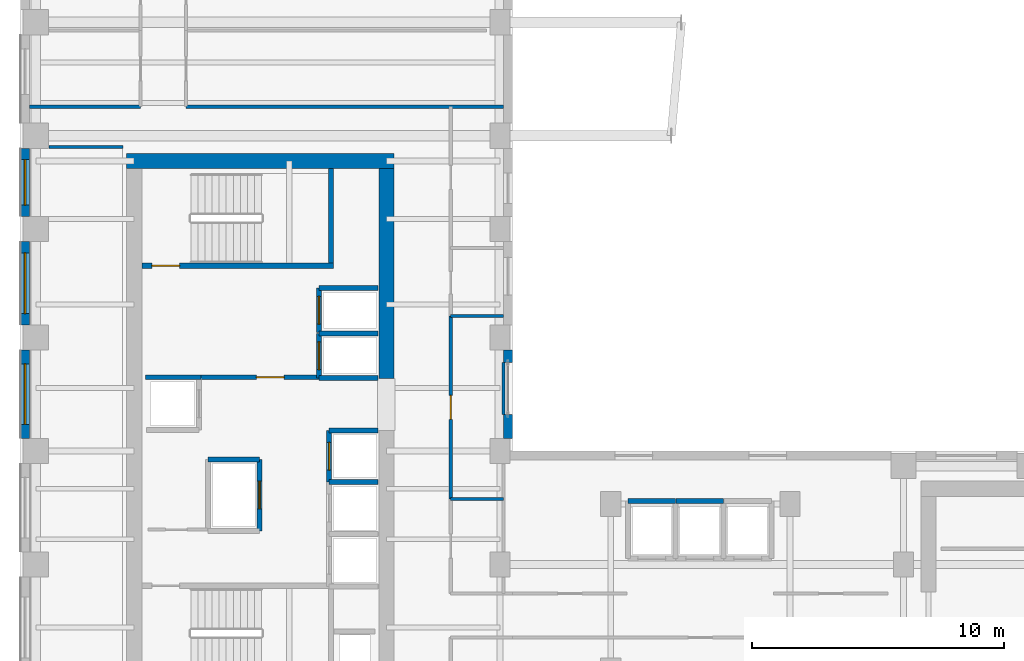
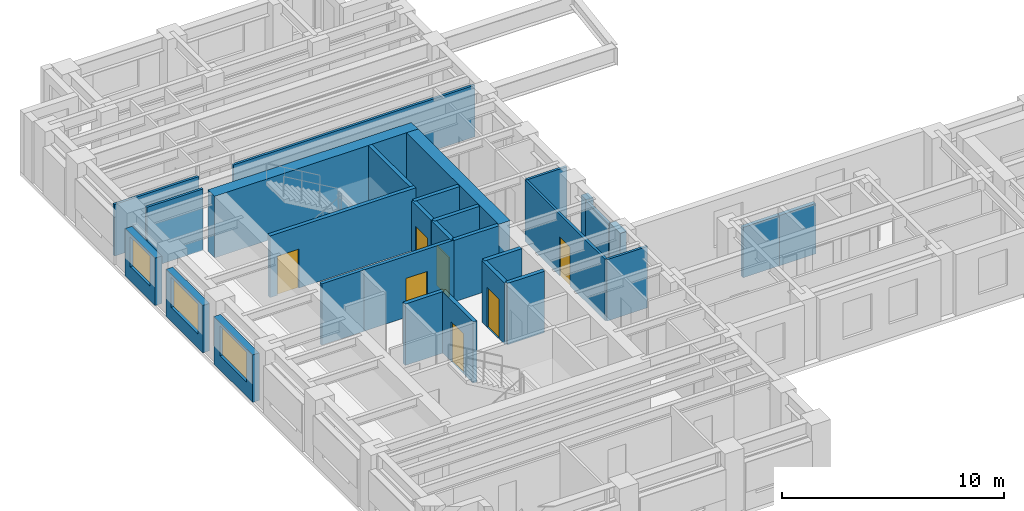
# One storey, part 8 of 14: 30 walls, 7 doors, 3 windows, 10 openings.
"""IFC4 building model written with IfcOpenShell, lengths in metres."""

import ifcopenshell
import ifcopenshell.guid

model = None  # the IFC model being written
_history = None  # IfcOwnerHistory: only IFC2X3 demands one
_inside = {}  # id of a spatial element -> (the spatial element, [elements in it])
_under = {}  # id of a project, library or spatial element -> (it, [spatial elements below it])
_declared = {}  # id of a project -> (the project, [libraries it declares])
_typed = {}  # id of a type object -> (the type object, [elements of that type])
_made_of = {}  # id of a material, layer set ... -> (it, [elements and type objects made of it])


def new_model(schema):
    """Start an empty IFC model of exactly this schema.

    Asked for "IFC4X3", IfcOpenShell would pick the latest addendum, in which some entities
    have other attributes; the version numbers below select the first issue.
    IFC2X3 requires an IfcOwnerHistory on every rooted entity: one is made here for all.
    """
    global model, _history
    if schema == "IFC4X3":
        model = ifcopenshell.file(schema_version=(4, 3, 0, 0))
    else:
        model = ifcopenshell.file(schema=schema)
    _inside.clear()
    _under.clear()
    _declared.clear()
    _typed.clear()
    _made_of.clear()
    _history = None
    if model.schema == "IFC2X3":
        org = make("IfcOrganization", Name="unknown")
        user = make(
            "IfcPersonAndOrganization",
            ThePerson=make("IfcPerson", FamilyName="unknown"),
            TheOrganization=org,
        )
        app = make(
            "IfcApplication",
            ApplicationDeveloper=org,
            Version="unknown",
            ApplicationFullName="unknown",
            ApplicationIdentifier="unknown",
        )
        _history = make(
            "IfcOwnerHistory",
            OwningUser=user,
            OwningApplication=app,
            ChangeAction="ADDED",
            CreationDate=0,
        )
    return model


def make(cls, **values):
    """One entity of the class cls with the attributes given. An attribute that is None is left unset."""
    return model.create_entity(
        cls, **{name: value for name, value in values.items() if value is not None}
    )


def rooted(cls, **values):
    """An entity with a GlobalId (a new one), such as an element, a storey or a relation."""
    return make(cls, GlobalId=ifcopenshell.guid.new(), OwnerHistory=_history, **values)


def si_unit(unit_type, name, prefix=None):
    """IfcSIUnit, for example si_unit("LENGTHUNIT", "METRE", prefix="MILLI")."""
    return make("IfcSIUnit", UnitType=unit_type, Prefix=prefix, Name=name)


def assignment(units):
    """IfcUnitAssignment: the units of a project."""
    return None if units is None else make("IfcUnitAssignment", Units=units)


def point(xyz):
    """IfcCartesianPoint."""
    return None if xyz is None else make("IfcCartesianPoint", Coordinates=xyz)


def direction(xyz):
    """IfcDirection."""
    return None if xyz is None else make("IfcDirection", DirectionRatios=xyz)


def frame(location, z_axis=None, x_axis=None):
    """IfcAxis2Placement3D, a coordinate frame: its origin and axes. An axis left out is left unset."""
    return make(
        "IfcAxis2Placement3D",
        Location=point(location),
        Axis=direction(z_axis),
        RefDirection=direction(x_axis),
    )


def frame_2d(location, x_axis=None):
    """IfcAxis2Placement2D, a coordinate frame in the plane: its origin and x axis."""
    return make(
        "IfcAxis2Placement2D", Location=point(location), RefDirection=direction(x_axis)
    )


def origin():
    """The frame at (0, 0, 0) with its axes left unset."""
    return frame((0.0, 0.0, 0.0))


def place(relative_to, where):
    """IfcLocalPlacement: puts the frame where relative to a parent placement (None: the world)."""
    return make(
        "IfcLocalPlacement", PlacementRelTo=relative_to, RelativePlacement=where
    )


def context(
    kind, dimensions, precision=None, world=None, true_north=None, identifier=None
):
    """IfcGeometricRepresentationContext, for example the 3D "Model" context."""
    return make(
        "IfcGeometricRepresentationContext",
        ContextIdentifier=identifier,
        ContextType=kind,
        CoordinateSpaceDimension=dimensions,
        Precision=precision,
        WorldCoordinateSystem=world,
        TrueNorth=true_north,
    )


def subcontext(parent, identifier, kind, view, scale=None):
    """IfcGeometricRepresentationSubContext, for example "Body" below "Model"."""
    return make(
        "IfcGeometricRepresentationSubContext",
        ContextIdentifier=identifier,
        ContextType=kind,
        ParentContext=parent,
        TargetScale=scale,
        TargetView=view,
    )


def project(units=None, contexts=None):
    """IfcProject with its units and contexts."""
    return rooted(
        "IfcProject",
        Name="project",
        RepresentationContexts=contexts,
        UnitsInContext=assignment(units),
    )


def spatial(cls, under=None, at=None, **own):
    """A site, building, storey or space (cls), placed at a placement, below another one or the project."""
    s = rooted(cls, ObjectPlacement=at, **own)
    if under is not None:
        _under.setdefault(under.id(), (under, []))[1].append(s)
    return s


def profile(cls, at=None, kind="AREA", **sizes):
    """A parametric profile (cls). Its sizes go by their IFC names, for example OverallWidth=200.0."""
    return make(cls, ProfileType=kind, Position=at, **sizes)


def rectangle(**sizes):
    """IfcRectangleProfileDef."""
    return profile("IfcRectangleProfileDef", **sizes)


def extrude(swept, where, along, depth):
    """IfcExtrudedAreaSolid: the profile swept, set in the frame where, extruded along a direction by depth."""
    return make(
        "IfcExtrudedAreaSolid",
        SweptArea=swept,
        Position=where,
        ExtrudedDirection=direction(along),
        Depth=depth,
    )


def shape(context_of_items, identifier, shape_type, items):
    """IfcShapeRepresentation: the items that make up one representation, for example the "Body"."""
    return make(
        "IfcShapeRepresentation",
        ContextOfItems=context_of_items,
        RepresentationIdentifier=identifier,
        RepresentationType=shape_type,
        Items=items,
    )


def source(mapping_origin, context_of_items, identifier, shape_type, items):
    """IfcRepresentationMap: a shape defined once, which mapped items show again and again."""
    return make(
        "IfcRepresentationMap",
        MappingOrigin=mapping_origin,
        MappedRepresentation=shape(context_of_items, identifier, shape_type, items),
    )


def transform(
    local_origin,
    x_axis=None,
    y_axis=None,
    z_axis=None,
    scale=None,
    scale2=None,
    scale3=None,
    uniform=True,
):
    """IfcCartesianTransformationOperator3D, or its non-uniform kind. x_axis, y_axis, z_axis: its Axis1, 2, 3."""
    if uniform:
        return make(
            "IfcCartesianTransformationOperator3D",
            Axis1=direction(x_axis),
            Axis2=direction(y_axis),
            LocalOrigin=point(local_origin),
            Scale=scale,
            Axis3=direction(z_axis),
        )
    return make(
        "IfcCartesianTransformationOperator3DnonUniform",
        Axis1=direction(x_axis),
        Axis2=direction(y_axis),
        LocalOrigin=point(local_origin),
        Scale=scale,
        Axis3=direction(z_axis),
        Scale2=scale2,
        Scale3=scale3,
    )


def mapped(mapping_source, mapping_target):
    """IfcMappedItem: shows the shape of a source again, moved by a transform."""
    return make(
        "IfcMappedItem", MappingSource=mapping_source, MappingTarget=mapping_target
    )


def material(Name=None, Category=None):
    """IfcMaterial."""
    return make("IfcMaterial", Name=Name, Category=Category)


def layer(
    of_material, thickness, ventilated=None, Name=None, Category=None, Priority=None
):
    """IfcMaterialLayer: one layer of a wall or slab, of a material (None: an air gap)."""
    return make(
        "IfcMaterialLayer",
        Material=of_material,
        LayerThickness=thickness,
        IsVentilated=ventilated,
        Name=Name,
        Category=Category,
        Priority=Priority,
    )


def layer_set(layers, Name=None):
    """IfcMaterialLayerSet."""
    return make("IfcMaterialLayerSet", MaterialLayers=layers, LayerSetName=Name)


def made_of(thing, what):
    """Note that an element or type object is made of a material, layer set ...; save() writes the relation."""
    if what is not None:
        _made_of.setdefault(what.id(), (what, []))[1].append(thing)
    return thing


def type_object(cls, material=None, **own):
    """A type object (cls), such as IfcWallType, which elements share."""
    return made_of(rooted(cls, **own), material)


def element(
    cls,
    number,
    at=None,
    inside=None,
    cuts=None,
    type_object=None,
    material=None,
    context=None,
    identifier="Body",
    shape_type=None,
    held_by="IfcProductDefinitionShape",
    body=None,
    shapes=None,
    **own,
):
    """One element of the class cls, such as IfcWall. Its Tag is "e" and its number.

    at: its placement. inside: the storey or other place that contains it. cuts: it is an
    opening in that element (IfcRelVoidsElement). A single representation is given by context,
    identifier, shape_type and body (its items); several are given by shapes. held_by: the class
    of the entity that holds the representations. save() writes the other relations.
    """
    e = rooted(cls, Tag="e%d" % number, ObjectPlacement=at, **own)
    if body is not None:
        shapes = [shape(context, identifier, shape_type, body)]
    if shapes is not None:
        e.Representation = make(held_by, Representations=shapes)
    if inside is not None:
        _inside.setdefault(inside.id(), (inside, []))[1].append(e)
    if cuts is not None:
        rooted(
            "IfcRelVoidsElement", RelatingBuildingElement=cuts, RelatedOpeningElement=e
        )
    if type_object is not None:
        _typed.setdefault(type_object.id(), (type_object, []))[1].append(e)
    return made_of(e, material)


def fill(opening, filler):
    """IfcRelFillsElement: the door or window that sits in an opening."""
    return rooted(
        "IfcRelFillsElement",
        RelatingOpeningElement=opening,
        RelatedBuildingElement=filler,
    )


def aggregate(whole, parts):
    """IfcRelAggregates: a whole, such as a stair, and the parts it consists of."""
    return rooted("IfcRelAggregates", RelatingObject=whole, RelatedObjects=parts)


def save(model, path):
    """Write the relations noted so far, then the file.

    IfcRelAggregates (storeys below a building ...), IfcRelContainedInSpatialStructure (elements
    in a storey), IfcRelDefinesByType, IfcRelAssociatesMaterial and IfcRelDeclares: one each for
    every whole, place, type object, material and project.
    """
    for whole, parts in _under.values():
        aggregate(whole, parts)
    for where, things in _inside.values():
        rooted(
            "IfcRelContainedInSpatialStructure",
            RelatedElements=things,
            RelatingStructure=where,
        )
    for kind, things in _typed.values():
        rooted("IfcRelDefinesByType", RelatedObjects=things, RelatingType=kind)
    for what, things in _made_of.values():
        rooted("IfcRelAssociatesMaterial", RelatedObjects=things, RelatingMaterial=what)
    for by, libraries in _declared.values():
        rooted("IfcRelDeclares", RelatingContext=by, RelatedDefinitions=libraries)
    model.write(path)


model = new_model("IFC4")

# Units and contexts
model_context = context("Model", 3, precision=1e-05, world=origin(), true_north=direction((0.0, 1.0)))
body_context = subcontext(model_context, "Body", "Model", "MODEL_VIEW")
ifc_project = project(units=[si_unit("LENGTHUNIT", "METRE"), si_unit("AREAUNIT", "SQUARE_METRE"), si_unit("VOLUMEUNIT", "CUBIC_METRE"), si_unit("PLANEANGLEUNIT", "RADIAN"), si_unit("MASSUNIT", "GRAM", prefix="KILO")], contexts=[model_context])

# Site, building, storey
site_placement = place(None, origin())
site = spatial("IfcSite", under=ifc_project, at=site_placement, CompositionType="ELEMENT")
building_placement = place(site_placement, origin())
building = spatial("IfcBuilding", under=site, at=building_placement, Name="Kharzan Plaza Tower", CompositionType="ELEMENT")
storey_placement = place(building_placement, frame((0.0, 0.0, 168.300048828125)))
storey = spatial("IfcBuildingStorey", under=building, at=storey_placement, Name="L45", CompositionType="ELEMENT", Elevation=168.300048828125)

# Wall, opening, window
ifc_material_1 = material(Name="Concrete C40/50", Category="concrete")
ifc_layer_1 = layer(ifc_material_1, 0.35009765625)
ifc_layer_set_1 = layer_set([ifc_layer_1], Name="Concrete C40/50")
wall_type_1 = type_object("IfcWallType", Name="WL-EXT-MAS-Z3", PredefinedType="SOLIDWALL", material=ifc_layer_set_1)
wall_1_placement = place(storey_placement, frame((0.175048828125, 30.001953125, 0.0), z_axis=(0.0, 0.0, 1.0), x_axis=(0.0, -1.0, 0.0)))
wall_1 = element("IfcWall", 1, at=wall_1_placement, inside=storey, type_object=wall_type_1, Name="L45 Masonry-Frame Exterior Wall 12", PredefinedType="SOLIDWALL", context=body_context, shape_type="SweptSolid", body=[
    extrude(rectangle(XDim=2.703857421875, YDim=0.35009765625, at=frame_2d((1.35205078125, 0.0))), origin(), (0.0, 0.0, 1.0), 2.612060546875),
])
opening_1_placement = place(wall_1_placement, frame((0.451904296875, 0.0, 0.780029296875)))
opening_1 = element("IfcOpeningElement", 2, at=opening_1_placement, cuts=wall_1, Name="Opening W1", PredefinedType="OPENING", context=body_context, shape_type="SweptSolid", body=[
    extrude(rectangle(XDim=1.800048828125, YDim=1.652099609375, at=frame_2d((0.89990234375, 0.826171875))), frame((0.0, 0.18505859375, 0.0), z_axis=(0.0, -1.0, 0.0), x_axis=(1.0, 0.0, 0.0)), (0.0, 0.0, 1.0), 0.3701171875),
])
ifc_material_2 = material(Name="Low-E Double Glazing", Category="glass")
window_type_1 = type_object("IfcWindowType", Name="WN-REC-1800x2100", PartitioningType="SINGLE_PANEL", PredefinedType="WINDOW", material=ifc_material_2)
shared_shape_1 = source(origin(), body_context, "Body", "SweptSolid", [
    extrude(rectangle(XDim=1.800048828125, YDim=1.652099609375, at=frame_2d((0.89990234375, 0.826171875))), frame((0.0, 0.030029296875, 0.0), z_axis=(0.0, -1.0, 0.0), x_axis=(1.0, 0.0, 0.0)), (0.0, 0.0, 1.0), 0.06005859375),
])
window_1_placement = place(opening_1_placement, origin())
window_1 = element("IfcWindow", 3, at=window_1_placement, inside=storey, type_object=window_type_1, Name="L45 Recessed Solar-Control Window 12-1", OverallHeight=1.652099609375, OverallWidth=1.800048828125, PartitioningType="SINGLE_PANEL", PredefinedType="WINDOW", context=body_context, shape_type="MappedRepresentation", body=[
    mapped(shared_shape_1, transform((0.0, 0.0, 0.0), x_axis=(1.0, 0.0, 0.0), y_axis=(0.0, 1.0, 0.0), z_axis=(0.0, 0.0, 1.0))),
])
fill(opening_1, window_1)

wall_2_placement = place(storey_placement, frame((0.175048828125, 26.302001953125, 0.0), z_axis=(0.0, 0.0, 1.0), x_axis=(0.0, -1.0, 0.0)))
wall_2 = element("IfcWall", 4, at=wall_2_placement, inside=storey, type_object=wall_type_1, Name="L45 Masonry-Frame Exterior Wall 13", PredefinedType="SOLIDWALL", context=body_context, shape_type="SweptSolid", body=[
    extrude(rectangle(XDim=3.303955078125, YDim=0.35009765625, at=frame_2d((1.65185546875, 0.0))), origin(), (0.0, 0.0, 1.0), 2.612060546875),
])
opening_2_placement = place(wall_2_placement, frame((0.451904296875, 0.0, 0.780029296875)))
opening_2 = element("IfcOpeningElement", 5, at=opening_2_placement, cuts=wall_2, Name="Opening W2", PredefinedType="OPENING", context=body_context, shape_type="SweptSolid", body=[
    extrude(rectangle(XDim=2.39990234375, YDim=1.652099609375, at=frame_2d((1.199951171875, 0.826171875))), frame((0.0, 0.18505859375, 0.0), z_axis=(0.0, -1.0, 0.0), x_axis=(1.0, 0.0, 0.0)), (0.0, 0.0, 1.0), 0.3701171875),
])
window_type_2 = type_object("IfcWindowType", Name="WN-REC-2400x2100", PartitioningType="SINGLE_PANEL", PredefinedType="WINDOW", material=ifc_material_2)
shared_shape_2 = source(origin(), body_context, "Body", "SweptSolid", [
    extrude(rectangle(XDim=2.39990234375, YDim=1.652099609375, at=frame_2d((1.199951171875, 0.826171875))), frame((0.0, 0.030029296875, 0.0), z_axis=(0.0, -1.0, 0.0), x_axis=(1.0, 0.0, 0.0)), (0.0, 0.0, 1.0), 0.06005859375),
])
window_2_placement = place(opening_2_placement, origin())
window_2 = element("IfcWindow", 6, at=window_2_placement, inside=storey, type_object=window_type_2, Name="L45 Wide Recessed Solar-Control Window 13-1", OverallHeight=1.652099609375, OverallWidth=2.39990234375, PartitioningType="SINGLE_PANEL", PredefinedType="WINDOW", context=body_context, shape_type="MappedRepresentation", body=[
    mapped(shared_shape_2, transform((0.0, 0.0, 0.0), x_axis=(1.0, 0.0, 0.0), y_axis=(0.0, 1.0, 0.0), z_axis=(0.0, 0.0, 1.0))),
])
fill(opening_2, window_2)

wall_3_placement = place(storey_placement, frame((0.175048828125, 22.001953125, 0.0), z_axis=(0.0, 0.0, 1.0), x_axis=(0.0, -1.0, 0.0)))
wall_3 = element("IfcWall", 7, at=wall_3_placement, inside=storey, type_object=wall_type_1, Name="L45 Masonry-Frame Exterior Wall 14", PredefinedType="SOLIDWALL", context=body_context, shape_type="SweptSolid", body=[
    extrude(rectangle(XDim=3.50390625, YDim=0.35009765625, at=frame_2d((1.751953125, 0.0))), origin(), (0.0, 0.0, 1.0), 2.612060546875),
])
opening_3_placement = place(wall_3_placement, frame((0.552001953125, 0.0, 0.780029296875)))
opening_3 = element("IfcOpeningElement", 8, at=opening_3_placement, cuts=wall_3, Name="Opening W2", PredefinedType="OPENING", context=body_context, shape_type="SweptSolid", body=[
    extrude(rectangle(XDim=2.39990234375, YDim=1.652099609375, at=frame_2d((1.199951171875, 0.826171875))), frame((0.0, 0.18505859375, 0.0), z_axis=(0.0, -1.0, 0.0), x_axis=(1.0, 0.0, 0.0)), (0.0, 0.0, 1.0), 0.3701171875),
])
window_3_placement = place(opening_3_placement, origin())
window_3 = element("IfcWindow", 9, at=window_3_placement, inside=storey, type_object=window_type_2, Name="L45 Wide Recessed Solar-Control Window 14-1", OverallHeight=1.652099609375, OverallWidth=2.39990234375, PartitioningType="SINGLE_PANEL", PredefinedType="WINDOW", context=body_context, shape_type="MappedRepresentation", body=[
    mapped(shared_shape_2, transform((0.0, 0.0, 0.0), x_axis=(1.0, 0.0, 0.0), y_axis=(0.0, 1.0, 0.0), z_axis=(0.0, 0.0, 1.0))),
])
fill(opening_3, window_3)

# Wall, opening, door
ifc_layer_2 = layer(ifc_material_1, 0.179931640625)
ifc_layer_set_2 = layer_set([ifc_layer_2], Name="Concrete C40/50")
wall_type_2 = type_object("IfcWallType", Name="WL-INT-FIRE-180", PredefinedType="PARTITIONING", material=ifc_layer_set_2)
wall_4_placement = place(storey_placement, frame((7.14990234375, 20.919921875, 0.0), z_axis=(0.0, 0.0, 1.0), x_axis=(1.0, 0.0, 0.0)))
wall_4 = element("IfcWall", 10, at=wall_4_placement, inside=storey, type_object=wall_type_2, Name="L45 Interior Partition CA-FF-S", PredefinedType="PARTITIONING", context=body_context, shape_type="SweptSolid", body=[
    extrude(rectangle(XDim=4.68017578125, YDim=0.179931640625, at=frame_2d((2.340087890625, 0.0))), origin(), (0.0, 0.0, 1.0), 3.385009765625),
])
opening_4_placement = place(wall_4_placement, frame((2.199951171875, 0.0, 0.0)))
opening_4 = element("IfcOpeningElement", 11, at=opening_4_placement, cuts=wall_4, Name="Opening FD1", PredefinedType="OPENING", context=body_context, shape_type="SweptSolid", body=[
    extrude(rectangle(XDim=1.10009765625, YDim=2.14990234375, at=frame_2d((0.550048828125, 1.074951171875))), frame((0.0, 0.099853515625, 0.0), z_axis=(0.0, -1.0, 0.0), x_axis=(1.0, 0.0, 0.0)), (0.0, 0.0, 1.0), 0.199951171875),
])
ifc_material_3 = material(Name="Fire-Rated Acoustic Vision-Panel Steel", Category="steel")
door_type_1 = type_object("IfcDoorType", Name="DR-FIRE-LOBBY", OperationType="NOTDEFINED", PredefinedType="DOOR", material=ifc_material_3)
shared_shape_3 = source(origin(), body_context, "Body", "SweptSolid", [
    extrude(rectangle(XDim=1.10009765625, YDim=2.14990234375, at=frame_2d((0.550048828125, 1.074951171875))), frame((0.0, 0.02490234375, 0.0), z_axis=(0.0, -1.0, 0.0), x_axis=(1.0, 0.0, 0.0)), (0.0, 0.0, 1.0), 0.050048828125),
])
door_1_placement = place(opening_4_placement, origin())
door_1 = element("IfcDoor", 12, at=door_1_placement, inside=storey, type_object=door_type_1, Name="L45 Firefighting Lobby Door", OperationType="SINGLE_SWING_RIGHT", OverallHeight=2.14990234375, OverallWidth=1.10009765625, PredefinedType="DOOR", context=body_context, shape_type="MappedRepresentation", body=[
    mapped(shared_shape_3, transform((0.0, 0.0, 0.0), x_axis=(1.0, 0.0, 0.0), y_axis=(0.0, 1.0, 0.0), z_axis=(0.0, 0.0, 1.0))),
])
fill(opening_4, door_1)

ifc_material_4 = material(Name="Fire-Rated Gypsum Board Partition", Category="gypsum")
ifc_layer_3 = layer(ifc_material_4, 0.125)
ifc_layer_set_3 = layer_set([ifc_layer_3], Name="Fire-Rated Gypsum Board Partition")
wall_type_3 = type_object("IfcWallType", Name="WL-INT-PART-125", PredefinedType="PARTITIONING", material=ifc_layer_set_3)
wall_5_placement = place(storey_placement, frame((17.050048828125, 16.10009765625, 0.0), z_axis=(0.0, 0.0, 1.0), x_axis=(0.0, 1.0, 0.0)))
wall_5 = element("IfcWall", 13, at=wall_5_placement, inside=storey, type_object=wall_type_3, Name="L45 Interior Partition SH-AEWN2", PredefinedType="PARTITIONING", context=body_context, shape_type="SweptSolid", body=[
    extrude(rectangle(XDim=7.25, YDim=0.125, at=frame_2d((3.625, 0.0))), origin(), (0.0, 0.0, 1.0), 3.385009765625),
])
opening_5_placement = place(wall_5_placement, frame((3.14990234375, 0.0, 0.0)))
opening_5 = element("IfcOpeningElement", 14, at=opening_5_placement, cuts=wall_5, Name="Opening OD1", PredefinedType="OPENING", context=body_context, shape_type="SweptSolid", body=[
    extrude(rectangle(XDim=0.949951171875, YDim=2.14990234375, at=frame_2d((0.47509765625, 1.074951171875))), frame((0.0, 0.072509765625, 0.0), z_axis=(0.0, -1.0, 0.0), x_axis=(1.0, 0.0, 0.0)), (0.0, 0.0, 1.0), 0.14501953125),
])
ifc_material_5 = material(Name="Acoustic Solid-Core Stained Oak", Category="timber")
door_type_2 = type_object("IfcDoorType", Name="DR-OFF-SINGLE", OperationType="NOTDEFINED", PredefinedType="DOOR", material=ifc_material_5)
shared_shape_4 = source(origin(), body_context, "Body", "SweptSolid", [
    extrude(rectangle(XDim=0.949951171875, YDim=2.14990234375, at=frame_2d((0.47509765625, 1.074951171875))), frame((0.0, 0.02490234375, 0.0), z_axis=(0.0, -1.0, 0.0), x_axis=(1.0, 0.0, 0.0)), (0.0, 0.0, 1.0), 0.050048828125),
])
door_2_placement = place(opening_5_placement, origin())
door_2 = element("IfcDoor", 15, at=door_2_placement, inside=storey, type_object=door_type_2, Name="L45 Slot Studio Door", OperationType="SINGLE_SWING_LEFT", OverallHeight=2.14990234375, OverallWidth=0.949951171875, PredefinedType="DOOR", context=body_context, shape_type="MappedRepresentation", body=[
    mapped(shared_shape_4, transform((0.0, 0.0, 0.0), x_axis=(1.0, 0.0, 0.0), y_axis=(0.0, 1.0, 0.0), z_axis=(0.0, 0.0, 1.0))),
])
fill(opening_5, door_2)

ifc_layer_4 = layer(ifc_material_1, 0.199951171875)
ifc_layer_set_4 = layer_set([ifc_layer_4], Name="Concrete C40/50")
wall_type_4 = type_object("IfcWallType", Name="WL-INT-SHAFT-200", PredefinedType="PARTITIONING", material=ifc_layer_set_4)
wall_6_placement = place(storey_placement, frame((11.830078125, 20.89990234375, 0.0), z_axis=(0.0, 0.0, 1.0), x_axis=(0.0, 1.0, 0.0)))
wall_6 = element("IfcWall", 16, at=wall_6_placement, inside=storey, type_object=wall_type_4, Name="L45 Interior Partition SHF-FFL-1-W", PredefinedType="PARTITIONING", context=body_context, shape_type="SweptSolid", body=[
    extrude(rectangle(XDim=1.760009765625, YDim=0.199951171875, at=frame_2d((0.8798828125, 0.0))), origin(), (0.0, 0.0, 1.0), 3.385009765625),
])
opening_6_placement = place(wall_6_placement, frame((0.330078125, 0.0, 0.0)))
opening_6 = element("IfcOpeningElement", 17, at=opening_6_placement, cuts=wall_6, Name="Opening LD", PredefinedType="OPENING", context=body_context, shape_type="SweptSolid", body=[
    extrude(rectangle(XDim=1.10009765625, YDim=2.199951171875, at=frame_2d((0.550048828125, 1.10009765625))), frame((0.0, 0.10986328125, 0.0), z_axis=(0.0, -1.0, 0.0), x_axis=(1.0, 0.0, 0.0)), (0.0, 0.0, 1.0), 0.219970703125),
])
ifc_material_6 = material(Name="Brushed Stainless Steel", Category="steel")
door_type_3 = type_object("IfcDoorType", Name="DR-LIFT-SLIDE", OperationType="SLIDING_TO_LEFT", PredefinedType="DOOR", material=ifc_material_6)
shared_shape_5 = source(origin(), body_context, "Body", "SweptSolid", [
    extrude(rectangle(XDim=1.10009765625, YDim=2.199951171875, at=frame_2d((0.550048828125, 1.10009765625))), frame((0.0, 0.02490234375, 0.0), z_axis=(0.0, -1.0, 0.0), x_axis=(1.0, 0.0, 0.0)), (0.0, 0.0, 1.0), 0.050048828125),
])
door_3_placement = place(opening_6_placement, origin())
door_3 = element("IfcDoor", 18, at=door_3_placement, inside=storey, type_object=door_type_3, Name="L45 Firefighting Lift FFL-1 Sliding Landing Door", OperationType="SLIDING_TO_LEFT", OverallHeight=2.199951171875, OverallWidth=1.10009765625, PredefinedType="DOOR", context=body_context, shape_type="MappedRepresentation", body=[
    mapped(shared_shape_5, transform((0.0, 0.0, 0.0), x_axis=(1.0, 0.0, 0.0), y_axis=(0.0, 1.0, 0.0), z_axis=(0.0, 0.0, 1.0))),
])
fill(opening_6, door_3)

wall_7_placement = place(storey_placement, frame((11.830078125, 22.699951171875, 0.0), z_axis=(0.0, 0.0, 1.0), x_axis=(0.0, 1.0, 0.0)))
wall_7 = element("IfcWall", 19, at=wall_7_placement, inside=storey, type_object=wall_type_4, Name="L45 Interior Partition SHF-FFL-2-W", PredefinedType="PARTITIONING", context=body_context, shape_type="SweptSolid", body=[
    extrude(rectangle(XDim=1.760009765625, YDim=0.199951171875, at=frame_2d((0.8798828125, 0.0))), origin(), (0.0, 0.0, 1.0), 3.385009765625),
])
opening_7_placement = place(wall_7_placement, frame((0.330078125, 0.0, 0.0)))
opening_7 = element("IfcOpeningElement", 20, at=opening_7_placement, cuts=wall_7, Name="Opening LD", PredefinedType="OPENING", context=body_context, shape_type="SweptSolid", body=[
    extrude(rectangle(XDim=1.10009765625, YDim=2.199951171875, at=frame_2d((0.550048828125, 1.10009765625))), frame((0.0, 0.10986328125, 0.0), z_axis=(0.0, -1.0, 0.0), x_axis=(1.0, 0.0, 0.0)), (0.0, 0.0, 1.0), 0.219970703125),
])
door_4_placement = place(opening_7_placement, origin())
door_4 = element("IfcDoor", 21, at=door_4_placement, inside=storey, type_object=door_type_3, Name="L45 Firefighting Lift FFL-2 Sliding Landing Door", OperationType="SLIDING_TO_LEFT", OverallHeight=2.199951171875, OverallWidth=1.10009765625, PredefinedType="DOOR", context=body_context, shape_type="MappedRepresentation", body=[
    mapped(shared_shape_5, transform((0.0, 0.0, 0.0), x_axis=(1.0, 0.0, 0.0), y_axis=(0.0, 1.0, 0.0), z_axis=(0.0, 0.0, 1.0))),
])
fill(opening_7, door_4)

wall_8_placement = place(storey_placement, frame((12.22998046875, 16.77001953125, 0.0), z_axis=(0.0, 0.0, 1.0), x_axis=(0.0, 1.0, 0.0)))
wall_8 = element("IfcWall", 22, at=wall_8_placement, inside=storey, type_object=wall_type_4, Name="L45 Interior Partition SHF-PL-H3-W", PredefinedType="PARTITIONING", context=body_context, shape_type="SweptSolid", body=[
    extrude(rectangle(XDim=2.050048828125, YDim=0.199951171875, at=frame_2d((1.02490234375, 0.0))), origin(), (0.0, 0.0, 1.0), 3.385009765625),
])
opening_8_placement = place(wall_8_placement, frame((0.47509765625, 0.0, 0.0)))
opening_8 = element("IfcOpeningElement", 23, at=opening_8_placement, cuts=wall_8, Name="Opening LD", PredefinedType="OPENING", context=body_context, shape_type="SweptSolid", body=[
    extrude(rectangle(XDim=1.10009765625, YDim=2.199951171875, at=frame_2d((0.550048828125, 1.10009765625))), frame((0.0, 0.10986328125, 0.0), z_axis=(0.0, -1.0, 0.0), x_axis=(1.0, 0.0, 0.0)), (0.0, 0.0, 1.0), 0.219970703125),
])
door_5_placement = place(opening_8_placement, origin())
door_5 = element("IfcDoor", 24, at=door_5_placement, inside=storey, type_object=door_type_3, Name="L45 High-Rise Passenger Lift PL-H3 Sliding Landing Door", OperationType="SLIDING_TO_LEFT", OverallHeight=2.199951171875, OverallWidth=1.10009765625, PredefinedType="DOOR", context=body_context, shape_type="MappedRepresentation", body=[
    mapped(shared_shape_5, transform((0.0, 0.0, 0.0), x_axis=(1.0, 0.0, 0.0), y_axis=(0.0, 1.0, 0.0), z_axis=(0.0, 0.0, 1.0))),
])
fill(opening_8, door_5)

wall_9_placement = place(storey_placement, frame((9.469970703125, 14.830078125, 0.0), z_axis=(0.0, 0.0, 1.0), x_axis=(0.0, 1.0, 0.0)))
wall_9 = element("IfcWall", 25, at=wall_9_placement, inside=storey, type_object=wall_type_4, Name="L45 Interior Partition SHF-SVL-1-E", PredefinedType="PARTITIONING", context=body_context, shape_type="SweptSolid", body=[
    extrude(rectangle(XDim=2.83984375, YDim=0.199951171875, at=frame_2d((1.419921875, 0.0))), origin(), (0.0, 0.0, 1.0), 3.385009765625),
])
opening_9_placement = place(wall_9_placement, frame((0.8701171875, 0.0, 0.0)))
opening_9 = element("IfcOpeningElement", 26, at=opening_9_placement, cuts=wall_9, Name="Opening LD", PredefinedType="OPENING", context=body_context, shape_type="SweptSolid", body=[
    extrude(rectangle(XDim=1.10009765625, YDim=2.199951171875, at=frame_2d((0.550048828125, 1.10009765625))), frame((0.0, 0.10986328125, 0.0), z_axis=(0.0, -1.0, 0.0), x_axis=(1.0, 0.0, 0.0)), (0.0, 0.0, 1.0), 0.219970703125),
])
door_6_placement = place(opening_9_placement, origin())
door_6 = element("IfcDoor", 27, at=door_6_placement, inside=storey, type_object=door_type_3, Name="L45 Service Lift SVL-1 Sliding Landing Door", OperationType="SLIDING_TO_LEFT", OverallHeight=2.199951171875, OverallWidth=1.10009765625, PredefinedType="DOOR", context=body_context, shape_type="MappedRepresentation", body=[
    mapped(shared_shape_5, transform((0.0, 0.0, 0.0), x_axis=(1.0, 0.0, 0.0), y_axis=(0.0, 1.0, 0.0), z_axis=(0.0, 0.0, 1.0))),
])
fill(opening_9, door_6)

ifc_material_7 = material(Name="Concrete C50/60", Category="concrete")
ifc_layer_5 = layer(ifc_material_7, 0.199951171875)
ifc_layer_set_5 = layer_set([ifc_layer_5], Name="Concrete C50/60")
wall_type_5 = type_object("IfcWallType", Name="WL-SHAFT-RC200", PredefinedType="SHEAR", material=ifc_layer_set_5)
wall_10_placement = place(storey_placement, frame((4.802001953125, 25.344970703125, 0.0), z_axis=(0.0, 0.0, 1.0), x_axis=(1.0, 0.0, 0.0)))
wall_10 = element("IfcWall", 28, at=wall_10_placement, inside=storey, type_object=wall_type_5, Name="L45 Stair ST-2 South RC Shaft Wall", PredefinedType="SHEAR", context=body_context, shape_type="SweptSolid", body=[
    extrude(rectangle(XDim=7.60302734375, YDim=0.199951171875, at=frame_2d((3.801513671875, 0.0))), origin(), (0.0, 0.0, 1.0), 3.39990234375),
])
opening_10_placement = place(wall_10_placement, frame((0.39990234375, 0.0, 0.0)))
opening_10 = element("IfcOpeningElement", 29, at=opening_10_placement, cuts=wall_10, Name="Opening SD1", PredefinedType="OPENING", context=body_context, shape_type="SweptSolid", body=[
    extrude(rectangle(XDim=1.10009765625, YDim=2.14990234375, at=frame_2d((0.550048828125, 1.074951171875))), frame((0.0, 0.10986328125, 0.0), z_axis=(0.0, -1.0, 0.0), x_axis=(1.0, 0.0, 0.0)), (0.0, 0.0, 1.0), 0.219970703125),
])
ifc_material_8 = material(Name="Fire-Rated Hollow Galvanized Steel", Category="steel")
door_type_4 = type_object("IfcDoorType", Name="DR-STAIR-FD120", OperationType="NOTDEFINED", PredefinedType="DOOR", material=ifc_material_8)
shared_shape_6 = source(origin(), body_context, "Body", "SweptSolid", [
    extrude(rectangle(XDim=1.10009765625, YDim=2.14990234375, at=frame_2d((0.550048828125, 1.074951171875))), frame((0.0, 0.02490234375, 0.0), z_axis=(0.0, -1.0, 0.0), x_axis=(1.0, 0.0, 0.0)), (0.0, 0.0, 1.0), 0.050048828125),
])
door_7_placement = place(opening_10_placement, origin())
door_7 = element("IfcDoor", 30, at=door_7_placement, inside=storey, type_object=door_type_4, Name="L45 Stair ST-2 Fire Exit Door", OperationType="SINGLE_SWING_LEFT", OverallHeight=2.14990234375, OverallWidth=1.10009765625, PredefinedType="DOOR", context=body_context, shape_type="MappedRepresentation", body=[
    mapped(shared_shape_6, transform((0.0, 0.0, 0.0), x_axis=(1.0, 0.0, 0.0), y_axis=(0.0, 1.0, 0.0), z_axis=(0.0, 0.0, 1.0))),
])
fill(opening_10, door_7)

# Walls
ifc_layer_6 = layer(ifc_material_7, 0.60009765625)
ifc_layer_set_6 = layer_set([ifc_layer_6], Name="Concrete C50/60")
wall_type_6 = type_object("IfcWallType", Name="WL-CORE-600", PredefinedType="SHEAR", material=ifc_layer_set_6)
shared_shape_7 = source(origin(), body_context, "Body", "SweptSolid", [
    extrude(rectangle(XDim=8.320068359375, YDim=0.60009765625, at=frame_2d((4.16015625, 0.0))), origin(), (0.0, 0.0, 1.0), 3.39990234375),
])
wall_11_placement = place(storey_placement, frame((14.5, 20.8798828125, 0.0), z_axis=(0.0, 0.0, 1.0), x_axis=(0.0, 1.0, 0.0)))
element("IfcWall", 31, at=wall_11_placement, inside=storey, type_object=wall_type_6, Name="L45 CORE-A east shear pier 2", PredefinedType="SHEAR", context=body_context, shape_type="MappedRepresentation", body=[
    mapped(shared_shape_7, transform((0.0, 0.0, 0.0), x_axis=(1.0, 0.0, 0.0), y_axis=(0.0, 1.0, 0.0), z_axis=(0.0, 0.0, 1.0))),
])
shared_shape_8 = source(origin(), body_context, "Body", "SweptSolid", [
    extrude(rectangle(XDim=10.60009765625, YDim=0.60009765625, at=frame_2d((5.300048828125, 0.0))), origin(), (0.0, 0.0, 1.0), 3.39990234375),
])
wall_12_placement = place(storey_placement, frame((4.199951171875, 29.5, 0.0), z_axis=(0.0, 0.0, 1.0), x_axis=(1.0, 0.0, 0.0)))
element("IfcWall", 32, at=wall_12_placement, inside=storey, type_object=wall_type_6, Name="L45 CORE-A north RC shear wall", PredefinedType="SHEAR", context=body_context, shape_type="MappedRepresentation", body=[
    mapped(shared_shape_8, transform((0.0, 0.0, 0.0), x_axis=(1.0, 0.0, 0.0), y_axis=(0.0, 1.0, 0.0), z_axis=(0.0, 0.0, 1.0))),
])
shared_shape_9 = source(origin(), body_context, "Body", "SweptSolid", [
    extrude(rectangle(XDim=2.199951171875, YDim=0.179931640625, at=frame_2d((1.10009765625, 0.0))), origin(), (0.0, 0.0, 1.0), 3.385009765625),
])
wall_13_placement = place(storey_placement, frame((4.949951171875, 20.919921875, 0.0), z_axis=(0.0, 0.0, 1.0), x_axis=(1.0, 0.0, 0.0)))
element("IfcWall", 33, at=wall_13_placement, inside=storey, type_object=wall_type_2, Name="L45 Interior Partition CA-FF-SW", PredefinedType="PARTITIONING", context=body_context, shape_type="MappedRepresentation", body=[
    mapped(shared_shape_9, transform((0.0, 0.0, 0.0), x_axis=(1.0, 0.0, 0.0), y_axis=(0.0, 1.0, 0.0), z_axis=(0.0, 0.0, 1.0))),
])
shared_shape_10 = source(origin(), body_context, "Body", "SweptSolid", [
    extrude(rectangle(XDim=2.099853515625, YDim=0.125, at=frame_2d((1.0498046875, 0.0))), origin(), (0.0, 0.0, 1.0), 3.385009765625),
])
wall_14_placement = place(storey_placement, frame((17.050048828125, 16.10009765625, 0.0), z_axis=(0.0, 0.0, 1.0), x_axis=(1.0, 0.0, 0.0)))
element("IfcWall", 34, at=wall_14_placement, inside=storey, type_object=wall_type_3, Name="L45 Interior Partition SH-AEH-161", PredefinedType="PARTITIONING", context=body_context, shape_type="MappedRepresentation", body=[
    mapped(shared_shape_10, transform((0.0, 0.0, 0.0), x_axis=(1.0, 0.0, 0.0), y_axis=(0.0, 1.0, 0.0), z_axis=(0.0, 0.0, 1.0))),
])
shared_shape_11 = source(origin(), body_context, "Body", "SweptSolid", [
    extrude(rectangle(XDim=2.097900390625, YDim=0.125, at=frame_2d((1.048828125, 0.0))), origin(), (0.0, 0.0, 1.0), 3.385009765625),
])
wall_15_placement = place(storey_placement, frame((17.050048828125, 23.35009765625, 0.0), z_axis=(0.0, 0.0, 1.0), x_axis=(1.0, 0.0, 0.0)))
element("IfcWall", 35, at=wall_15_placement, inside=storey, type_object=wall_type_3, Name="L45 Interior Partition SH-AEH-233", PredefinedType="PARTITIONING", context=body_context, shape_type="MappedRepresentation", body=[
    mapped(shared_shape_11, transform((0.0, 0.0, 0.0), x_axis=(1.0, 0.0, 0.0), y_axis=(0.0, 1.0, 0.0), z_axis=(0.0, 0.0, 1.0))),
])
shared_shape_12 = source(origin(), body_context, "Body", "SweptSolid", [
    extrude(rectangle(XDim=12.597900390625, YDim=0.125, at=frame_2d((6.298828125, 0.0))), origin(), (0.0, 0.0, 1.0), 2.847900390625),
])
wall_16_placement = place(storey_placement, frame((6.550048828125, 31.64990234375, 0.0), z_axis=(0.0, 0.0, 1.0), x_axis=(1.0, 0.0, 0.0)))
element("IfcWall", 36, at=wall_16_placement, inside=storey, type_object=wall_type_3, Name="L45 Interior Partition SH-NNE", PredefinedType="PARTITIONING", context=body_context, shape_type="MappedRepresentation", body=[
    mapped(shared_shape_12, transform((0.0, 0.0, 0.0), x_axis=(1.0, 0.0, 0.0), y_axis=(0.0, 1.0, 0.0), z_axis=(0.0, 0.0, 1.0))),
])
shared_shape_13 = source(origin(), body_context, "Body", "SweptSolid", [
    extrude(rectangle(XDim=4.39794921875, YDim=0.125, at=frame_2d((2.198974609375, 0.0))), origin(), (0.0, 0.0, 1.0), 2.847900390625),
])
wall_17_placement = place(storey_placement, frame((0.35205078125, 31.64990234375, 0.0), z_axis=(0.0, 0.0, 1.0), x_axis=(1.0, 0.0, 0.0)))
element("IfcWall", 37, at=wall_17_placement, inside=storey, type_object=wall_type_3, Name="L45 Interior Partition SH-NNW", PredefinedType="PARTITIONING", context=body_context, shape_type="MappedRepresentation", body=[
    mapped(shared_shape_13, transform((0.0, 0.0, 0.0), x_axis=(1.0, 0.0, 0.0), y_axis=(0.0, 1.0, 0.0), z_axis=(0.0, 0.0, 1.0))),
])
shared_shape_14 = source(origin(), body_context, "Body", "SweptSolid", [
    extrude(rectangle(XDim=2.929931640625, YDim=0.125, at=frame_2d((1.46484375, 0.0))), origin(), (0.0, 0.0, 1.0), 3.385009765625),
])
wall_18_placement = place(storey_placement, frame((1.1201171875, 30.050048828125, 0.0), z_axis=(0.0, 0.0, 1.0), x_axis=(1.0, 0.0, 0.0)))
element("IfcWall", 38, at=wall_18_placement, inside=storey, type_object=wall_type_3, Name="L45 Interior Partition SH-RWN0", PredefinedType="PARTITIONING", context=body_context, shape_type="MappedRepresentation", body=[
    mapped(shared_shape_14, transform((0.0, 0.0, 0.0), x_axis=(1.0, 0.0, 0.0), y_axis=(0.0, 1.0, 0.0), z_axis=(0.0, 0.0, 1.0))),
])
shared_shape_15 = source(origin(), body_context, "Body", "SweptSolid", [
    extrude(rectangle(XDim=2.33984375, YDim=0.199951171875, at=frame_2d((1.169921875, 0.0))), origin(), (0.0, 0.0, 1.0), 3.385009765625),
])
for number, where, z_axis, x_axis, name in (
    (39, (11.830078125, 22.659912109375, 0.0), (0.0, 0.0, 1.0), (1.0, 0.0, 0.0), "L45 Interior Partition SHF-FFL-1-N"),
    (40, (11.830078125, 20.89990234375, 0.0), (0.0, 0.0, 1.0), (1.0, 0.0, 0.0), "L45 Interior Partition SHF-FFL-1-S"),
    (41, (11.830078125, 24.4599609375, 0.0), (0.0, 0.0, 1.0), (1.0, 0.0, 0.0), "L45 Interior Partition SHF-FFL-2-N"),
):
    element("IfcWall", number, at=place(storey_placement, frame(where, z_axis=z_axis, x_axis=x_axis)), inside=storey, type_object=wall_type_4, Name=name, PredefinedType="PARTITIONING", context=body_context, shape_type="MappedRepresentation", body=[
        mapped(shared_shape_15, transform((0.0, 0.0, 0.0), x_axis=(1.0, 0.0, 0.0), y_axis=(0.0, 1.0, 0.0), z_axis=(0.0, 0.0, 1.0))),
    ])
shared_shape_16 = source(origin(), body_context, "Body", "SweptSolid", [
    extrude(rectangle(XDim=1.93994140625, YDim=0.199951171875, at=frame_2d((0.969970703125, 0.0))), origin(), (0.0, 0.0, 1.0), 3.385009765625),
])
for number, where, z_axis, x_axis, name in (
    (42, (12.22998046875, 16.77001953125, 0.0), (0.0, 0.0, 1.0), (1.0, 0.0, 0.0), "L45 Interior Partition SHF-PL-H2-N"),
    (43, (12.22998046875, 18.820068359375, 0.0), (0.0, 0.0, 1.0), (1.0, 0.0, 0.0), "L45 Interior Partition SHF-PL-H3-N"),
):
    element("IfcWall", number, at=place(storey_placement, frame(where, z_axis=z_axis, x_axis=x_axis)), inside=storey, type_object=wall_type_4, Name=name, PredefinedType="PARTITIONING", context=body_context, shape_type="MappedRepresentation", body=[
        mapped(shared_shape_16, transform((0.0, 0.0, 0.0), x_axis=(1.0, 0.0, 0.0), y_axis=(0.0, 1.0, 0.0), z_axis=(0.0, 0.0, 1.0))),
    ])
shared_shape_17 = source(origin(), body_context, "Body", "SweptSolid", [
    extrude(rectangle(XDim=1.889892578125, YDim=0.199951171875, at=frame_2d((0.94482421875, 0.0))), origin(), (0.0, 0.0, 1.0), 2.77294921875),
])
wall_19_placement = place(storey_placement, frame((24.080078125, 16.02001953125, 0.0), z_axis=(0.0, 0.0, 1.0), x_axis=(1.0, 0.0, 0.0)))
element("IfcWall", 44, at=wall_19_placement, inside=storey, type_object=wall_type_4, Name="L45 Interior Partition SHF-PL-M1-N", PredefinedType="PARTITIONING", context=body_context, shape_type="MappedRepresentation", body=[
    mapped(shared_shape_17, transform((0.0, 0.0, 0.0), x_axis=(1.0, 0.0, 0.0), y_axis=(0.0, 1.0, 0.0), z_axis=(0.0, 0.0, 1.0))),
])
shared_shape_18 = source(origin(), body_context, "Body", "SweptSolid", [
    extrude(rectangle(XDim=1.89013671875, YDim=0.199951171875, at=frame_2d((0.945068359375, 0.0))), origin(), (0.0, 0.0, 1.0), 2.77294921875),
])
wall_20_placement = place(storey_placement, frame((25.97998046875, 16.02001953125, 0.0), z_axis=(0.0, 0.0, 1.0), x_axis=(1.0, 0.0, 0.0)))
element("IfcWall", 45, at=wall_20_placement, inside=storey, type_object=wall_type_4, Name="L45 Interior Partition SHF-PL-M2-N", PredefinedType="PARTITIONING", context=body_context, shape_type="MappedRepresentation", body=[
    mapped(shared_shape_18, transform((0.0, 0.0, 0.0), x_axis=(1.0, 0.0, 0.0), y_axis=(0.0, 1.0, 0.0), z_axis=(0.0, 0.0, 1.0))),
])
shared_shape_19 = source(origin(), body_context, "Body", "SweptSolid", [
    extrude(rectangle(XDim=2.0400390625, YDim=0.199951171875, at=frame_2d((1.02001953125, 0.0))), origin(), (0.0, 0.0, 1.0), 3.385009765625),
])
wall_21_placement = place(storey_placement, frame((7.429931640625, 17.669921875, 0.0), z_axis=(0.0, 0.0, 1.0), x_axis=(1.0, 0.0, 0.0)))
element("IfcWall", 46, at=wall_21_placement, inside=storey, type_object=wall_type_4, Name="L45 Interior Partition SHF-SVL-1-N", PredefinedType="PARTITIONING", context=body_context, shape_type="MappedRepresentation", body=[
    mapped(shared_shape_19, transform((0.0, 0.0, 0.0), x_axis=(1.0, 0.0, 0.0), y_axis=(0.0, 1.0, 0.0), z_axis=(0.0, 0.0, 1.0))),
])
shared_shape_20 = source(origin(), body_context, "Body", "SweptSolid", [
    extrude(rectangle(XDim=3.7529296875, YDim=0.199951171875, at=frame_2d((1.87646484375, 0.0))), origin(), (0.0, 0.0, 1.0), 3.39990234375),
])
wall_22_placement = place(storey_placement, frame((12.304931640625, 25.445068359375, 0.0), z_axis=(0.0, 0.0, 1.0), x_axis=(0.0, 1.0, 0.0)))
element("IfcWall", 47, at=wall_22_placement, inside=storey, type_object=wall_type_5, Name="L45 Stair ST-2 East RC Shaft Wall", PredefinedType="SHEAR", context=body_context, shape_type="MappedRepresentation", body=[
    mapped(shared_shape_20, transform((0.0, 0.0, 0.0), x_axis=(1.0, 0.0, 0.0), y_axis=(0.0, 1.0, 0.0), z_axis=(0.0, 0.0, 1.0))),
])
shared_shape_21 = source(origin(), body_context, "Body", "SweptSolid", [
    extrude(rectangle(XDim=0.951904296875, YDim=0.35009765625, at=frame_2d((0.47607421875, 0.0))), origin(), (0.0, 0.0, 1.0), 2.612060546875),
])
wall_23_placement = place(storey_placement, frame((19.324951171875, 18.498046875, 0.0), z_axis=(0.0, 0.0, 1.0), x_axis=(0.0, 1.0, 0.0)))
element("IfcWall", 48, at=wall_23_placement, inside=storey, type_object=wall_type_1, Name="L45 Masonry-Frame Exterior Wall 47", PredefinedType="SOLIDWALL", context=body_context, shape_type="MappedRepresentation", body=[
    mapped(shared_shape_21, transform((0.0, 0.0, 0.0), x_axis=(1.0, 0.0, 0.0), y_axis=(0.0, 1.0, 0.0), z_axis=(0.0, 0.0, 1.0))),
])
shared_shape_22 = source(origin(), body_context, "Body", "SweptSolid", [
    extrude(rectangle(XDim=0.501953125, YDim=0.35009765625, at=frame_2d((0.2509765625, 0.0))), origin(), (0.0, 0.0, 1.0), 2.612060546875),
])
wall_24_placement = place(storey_placement, frame((19.324951171875, 21.5, 0.0), z_axis=(0.0, 0.0, 1.0), x_axis=(0.0, 1.0, 0.0)))
element("IfcWall", 49, at=wall_24_placement, inside=storey, type_object=wall_type_1, Name="L45 Masonry-Frame Exterior Wall 48", PredefinedType="SOLIDWALL", context=body_context, shape_type="MappedRepresentation", body=[
    mapped(shared_shape_22, transform((0.0, 0.0, 0.0), x_axis=(1.0, 0.0, 0.0), y_axis=(0.0, 1.0, 0.0), z_axis=(0.0, 0.0, 1.0))),
])
shared_shape_23 = source(origin(), body_context, "Body", "SweptSolid", [
    extrude(rectangle(XDim=2.050048828125, YDim=0.125, at=frame_2d((1.02490234375, 0.0))), origin(), (0.0, 0.0, 1.0), 2.612060546875),
])
wall_25_placement = place(storey_placement, frame((19.14990234375, 19.449951171875, 0.0), z_axis=(0.0, 0.0, 1.0), x_axis=(0.0, 1.0, 0.0)))
element("IfcWall", 50, at=wall_25_placement, inside=storey, type_object=wall_type_3, Name="L45 Interior Partition SH-AEN-DIV-S3", PredefinedType="PARTITIONING", context=body_context, shape_type="MappedRepresentation", body=[
    mapped(shared_shape_23, transform((0.0, 0.0, 0.0), x_axis=(1.0, 0.0, 0.0), y_axis=(0.0, 1.0, 0.0), z_axis=(0.0, 0.0, 1.0))),
])

save(model, "model.ifc")
